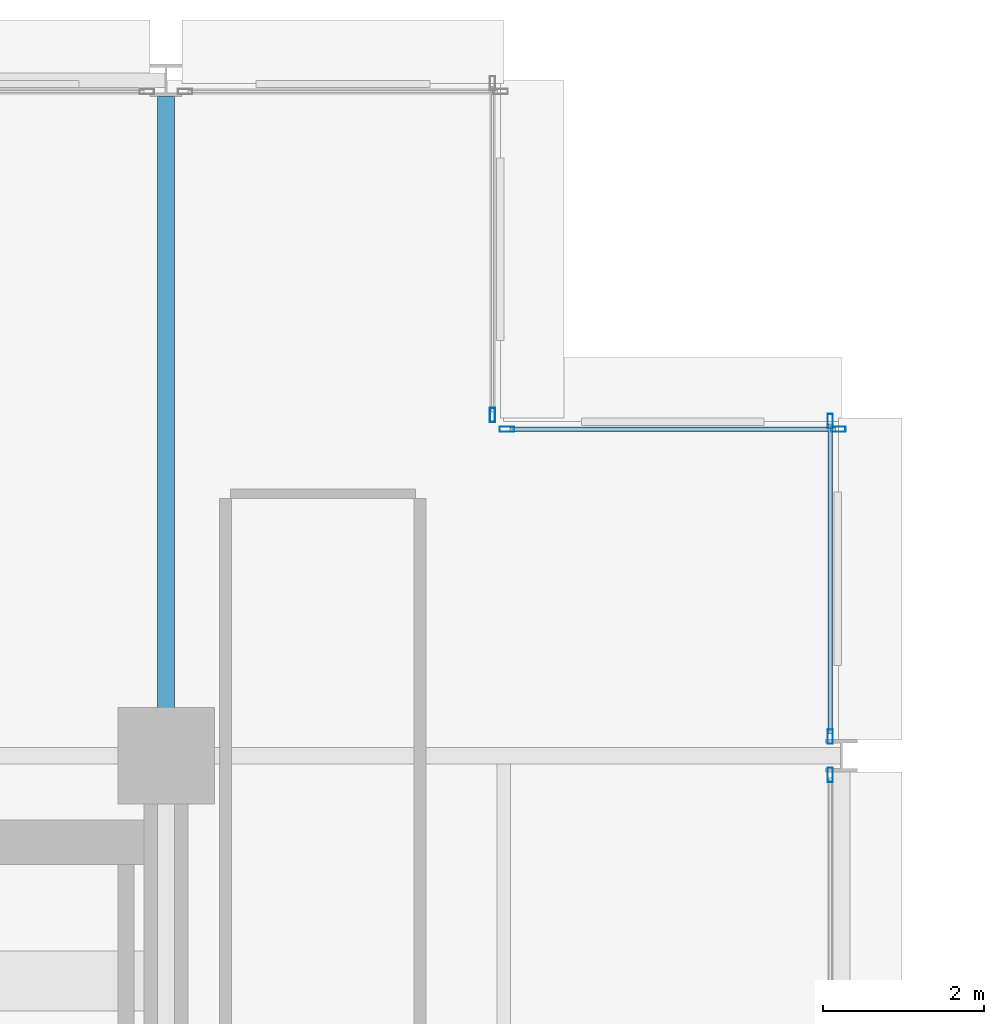
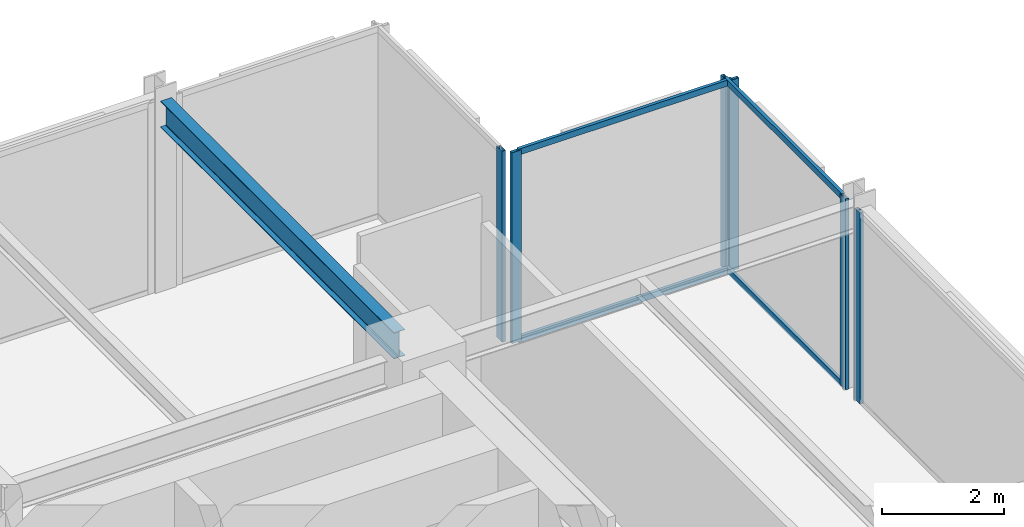
# One storey, part 28 of 39: 10 members, 1 beam, 4 elements without a shape of their own.
"""IFC4 building model written with IfcOpenShell, lengths in metres."""

import ifcopenshell
import ifcopenshell.guid

model = None  # the IFC model being written
_history = None  # IfcOwnerHistory: only IFC2X3 demands one
_inside = {}  # id of a spatial element -> (the spatial element, [elements in it])
_under = {}  # id of a project, library or spatial element -> (it, [spatial elements below it])
_declared = {}  # id of a project -> (the project, [libraries it declares])
_typed = {}  # id of a type object -> (the type object, [elements of that type])
_made_of = {}  # id of a material, layer set ... -> (it, [elements and type objects made of it])


def new_model(schema):
    """Start an empty IFC model of exactly this schema.

    Asked for "IFC4X3", IfcOpenShell would pick the latest addendum, in which some entities
    have other attributes; the version numbers below select the first issue.
    IFC2X3 requires an IfcOwnerHistory on every rooted entity: one is made here for all.
    """
    global model, _history
    if schema == "IFC4X3":
        model = ifcopenshell.file(schema_version=(4, 3, 0, 0))
    else:
        model = ifcopenshell.file(schema=schema)
    _inside.clear()
    _under.clear()
    _declared.clear()
    _typed.clear()
    _made_of.clear()
    _history = None
    if model.schema == "IFC2X3":
        org = make("IfcOrganization", Name="unknown")
        user = make(
            "IfcPersonAndOrganization",
            ThePerson=make("IfcPerson", FamilyName="unknown"),
            TheOrganization=org,
        )
        app = make(
            "IfcApplication",
            ApplicationDeveloper=org,
            Version="unknown",
            ApplicationFullName="unknown",
            ApplicationIdentifier="unknown",
        )
        _history = make(
            "IfcOwnerHistory",
            OwningUser=user,
            OwningApplication=app,
            ChangeAction="ADDED",
            CreationDate=0,
        )
    return model


def make(cls, **values):
    """One entity of the class cls with the attributes given. An attribute that is None is left unset."""
    return model.create_entity(
        cls, **{name: value for name, value in values.items() if value is not None}
    )


def rooted(cls, **values):
    """An entity with a GlobalId (a new one), such as an element, a storey or a relation."""
    return make(cls, GlobalId=ifcopenshell.guid.new(), OwnerHistory=_history, **values)


def si_unit(unit_type, name, prefix=None):
    """IfcSIUnit, for example si_unit("LENGTHUNIT", "METRE", prefix="MILLI")."""
    return make("IfcSIUnit", UnitType=unit_type, Prefix=prefix, Name=name)


def assignment(units):
    """IfcUnitAssignment: the units of a project."""
    return None if units is None else make("IfcUnitAssignment", Units=units)


def point(xyz):
    """IfcCartesianPoint."""
    return None if xyz is None else make("IfcCartesianPoint", Coordinates=xyz)


def direction(xyz):
    """IfcDirection."""
    return None if xyz is None else make("IfcDirection", DirectionRatios=xyz)


def frame(location, z_axis=None, x_axis=None):
    """IfcAxis2Placement3D, a coordinate frame: its origin and axes. An axis left out is left unset."""
    return make(
        "IfcAxis2Placement3D",
        Location=point(location),
        Axis=direction(z_axis),
        RefDirection=direction(x_axis),
    )


def frame_2d(location, x_axis=None):
    """IfcAxis2Placement2D, a coordinate frame in the plane: its origin and x axis."""
    return make(
        "IfcAxis2Placement2D", Location=point(location), RefDirection=direction(x_axis)
    )


def origin():
    """The frame at (0, 0, 0) with its axes left unset."""
    return frame((0.0, 0.0, 0.0))


def origin_2d():
    """The frame at (0, 0) in the plane with its x axis left unset."""
    return frame_2d((0.0, 0.0))


def place(relative_to, where):
    """IfcLocalPlacement: puts the frame where relative to a parent placement (None: the world)."""
    return make(
        "IfcLocalPlacement", PlacementRelTo=relative_to, RelativePlacement=where
    )


def context(
    kind, dimensions, precision=None, world=None, true_north=None, identifier=None
):
    """IfcGeometricRepresentationContext, for example the 3D "Model" context."""
    return make(
        "IfcGeometricRepresentationContext",
        ContextIdentifier=identifier,
        ContextType=kind,
        CoordinateSpaceDimension=dimensions,
        Precision=precision,
        WorldCoordinateSystem=world,
        TrueNorth=true_north,
    )


def subcontext(parent, identifier, kind, view, scale=None):
    """IfcGeometricRepresentationSubContext, for example "Body" below "Model"."""
    return make(
        "IfcGeometricRepresentationSubContext",
        ContextIdentifier=identifier,
        ContextType=kind,
        ParentContext=parent,
        TargetScale=scale,
        TargetView=view,
    )


def project(units=None, contexts=None):
    """IfcProject with its units and contexts."""
    return rooted(
        "IfcProject",
        Name="project",
        RepresentationContexts=contexts,
        UnitsInContext=assignment(units),
    )


def spatial(cls, under=None, at=None, **own):
    """A site, building, storey or space (cls), placed at a placement, below another one or the project."""
    s = rooted(cls, ObjectPlacement=at, **own)
    if under is not None:
        _under.setdefault(under.id(), (under, []))[1].append(s)
    return s


def profile(cls, at=None, kind="AREA", **sizes):
    """A parametric profile (cls). Its sizes go by their IFC names, for example OverallWidth=200.0."""
    return make(cls, ProfileType=kind, Position=at, **sizes)


def hollow_rectangle(**sizes):
    """IfcRectangleHollowProfileDef."""
    return profile("IfcRectangleHollowProfileDef", **sizes)


def i_section(**sizes):
    """IfcIShapeProfileDef."""
    return profile("IfcIShapeProfileDef", **sizes)


def extrude(swept, where, along, depth):
    """IfcExtrudedAreaSolid: the profile swept, set in the frame where, extruded along a direction by depth."""
    return make(
        "IfcExtrudedAreaSolid",
        SweptArea=swept,
        Position=where,
        ExtrudedDirection=direction(along),
        Depth=depth,
    )


def shape(context_of_items, identifier, shape_type, items):
    """IfcShapeRepresentation: the items that make up one representation, for example the "Body"."""
    return make(
        "IfcShapeRepresentation",
        ContextOfItems=context_of_items,
        RepresentationIdentifier=identifier,
        RepresentationType=shape_type,
        Items=items,
    )


def material(Name=None, Category=None):
    """IfcMaterial."""
    return make("IfcMaterial", Name=Name, Category=Category)


def layer(
    of_material, thickness, ventilated=None, Name=None, Category=None, Priority=None
):
    """IfcMaterialLayer: one layer of a wall or slab, of a material (None: an air gap)."""
    return make(
        "IfcMaterialLayer",
        Material=of_material,
        LayerThickness=thickness,
        IsVentilated=ventilated,
        Name=Name,
        Category=Category,
        Priority=Priority,
    )


def layer_set(layers, Name=None):
    """IfcMaterialLayerSet."""
    return make("IfcMaterialLayerSet", MaterialLayers=layers, LayerSetName=Name)


def material_profile(
    of_material, cross_section, Name=None, Category=None, Priority=None
):
    """IfcMaterialProfile: a cross section and its material."""
    return make(
        "IfcMaterialProfile",
        Name=Name,
        Material=of_material,
        Profile=cross_section,
        Priority=Priority,
        Category=Category,
    )


def profile_set(profiles, Name=None, composite=None):
    """IfcMaterialProfileSet."""
    return make(
        "IfcMaterialProfileSet",
        Name=Name,
        MaterialProfiles=profiles,
        CompositeProfile=composite,
    )


def made_of(thing, what):
    """Note that an element or type object is made of a material, layer set ...; save() writes the relation."""
    if what is not None:
        _made_of.setdefault(what.id(), (what, []))[1].append(thing)
    return thing


def type_object(cls, material=None, **own):
    """A type object (cls), such as IfcWallType, which elements share."""
    return made_of(rooted(cls, **own), material)


def element(
    cls,
    number,
    at=None,
    inside=None,
    cuts=None,
    type_object=None,
    material=None,
    context=None,
    identifier="Body",
    shape_type=None,
    held_by="IfcProductDefinitionShape",
    body=None,
    shapes=None,
    **own,
):
    """One element of the class cls, such as IfcWall. Its Tag is "e" and its number.

    at: its placement. inside: the storey or other place that contains it. cuts: it is an
    opening in that element (IfcRelVoidsElement). A single representation is given by context,
    identifier, shape_type and body (its items); several are given by shapes. held_by: the class
    of the entity that holds the representations. save() writes the other relations.
    """
    e = rooted(cls, Tag="e%d" % number, ObjectPlacement=at, **own)
    if body is not None:
        shapes = [shape(context, identifier, shape_type, body)]
    if shapes is not None:
        e.Representation = make(held_by, Representations=shapes)
    if inside is not None:
        _inside.setdefault(inside.id(), (inside, []))[1].append(e)
    if cuts is not None:
        rooted(
            "IfcRelVoidsElement", RelatingBuildingElement=cuts, RelatedOpeningElement=e
        )
    if type_object is not None:
        _typed.setdefault(type_object.id(), (type_object, []))[1].append(e)
    return made_of(e, material)


def aggregate(whole, parts):
    """IfcRelAggregates: a whole, such as a stair, and the parts it consists of."""
    return rooted("IfcRelAggregates", RelatingObject=whole, RelatedObjects=parts)


def save(model, path):
    """Write the relations noted so far, then the file.

    IfcRelAggregates (storeys below a building ...), IfcRelContainedInSpatialStructure (elements
    in a storey), IfcRelDefinesByType, IfcRelAssociatesMaterial and IfcRelDeclares: one each for
    every whole, place, type object, material and project.
    """
    for whole, parts in _under.values():
        aggregate(whole, parts)
    for where, things in _inside.values():
        rooted(
            "IfcRelContainedInSpatialStructure",
            RelatedElements=things,
            RelatingStructure=where,
        )
    for kind, things in _typed.values():
        rooted("IfcRelDefinesByType", RelatedObjects=things, RelatingType=kind)
    for what, things in _made_of.values():
        rooted("IfcRelAssociatesMaterial", RelatedObjects=things, RelatingMaterial=what)
    for by, libraries in _declared.values():
        rooted("IfcRelDeclares", RelatingContext=by, RelatedDefinitions=libraries)
    model.write(path)


model = new_model("IFC4")

# Units and contexts
model_context = context("Model", 3, precision=1e-05, world=origin(), true_north=direction((0.0, 1.0)))
body_context = subcontext(model_context, "Body", "Model", "MODEL_VIEW")
ifc_project = project(units=[si_unit("LENGTHUNIT", "METRE"), si_unit("AREAUNIT", "SQUARE_METRE"), si_unit("VOLUMEUNIT", "CUBIC_METRE"), si_unit("PLANEANGLEUNIT", "RADIAN"), si_unit("MASSUNIT", "GRAM", prefix="KILO")], contexts=[model_context])

# Site, building, storey
site_placement = place(None, origin())
site = spatial("IfcSite", under=ifc_project, at=site_placement, CompositionType="ELEMENT")
building_placement = place(site_placement, origin())
building = spatial("IfcBuilding", under=site, at=building_placement, Name="Nerrivon Quay Data Exchange", CompositionType="ELEMENT")
storey_placement = place(building_placement, frame((0.0, 0.0, 92.60009765625)))
storey = spatial("IfcBuildingStorey", under=building, at=storey_placement, Name="L21", CompositionType="ELEMENT", Elevation=92.60009765625)

# Beam
ifc_material_1 = material(Name="Steel Grade 350", Category="steel")
ifc_material_profile_1 = material_profile(ifc_material_1, i_section(OverallWidth=0.208984375, OverallDepth=0.528076171875, WebThickness=0.009521484375, FlangeThickness=0.01318359375, FilletRadius=0.013916015625, at=origin_2d()), Name="530UB82.0")
ifc_profile_set_1 = profile_set([ifc_material_profile_1], Name="Steel Grade 350")
beam_type = type_object("IfcBeamType", Name="BM-G4-530UB82", PredefinedType="BEAM", material=ifc_profile_set_1)
beam_placement = place(storey_placement, frame((16.800048828125, 42.5400390625, 3.560791015625), z_axis=(0.0, 1.0, 0.0), x_axis=(-1.0, 0.0, 0.0)))
element("IfcBeam", 1, at=beam_placement, inside=storey, type_object=beam_type, Name="L21 NS Girder X=16.8 (42.0..50.4)", PredefinedType="BEAM", context=body_context, shape_type="SweptSolid", body=[
    extrude(i_section(OverallWidth=0.208984375, OverallDepth=0.528076171875, WebThickness=0.009521484375, FlangeThickness=0.01318359375, FilletRadius=0.013916015625, at=origin_2d()), origin(), (0.0, 0.0, 1.0), 7.659912109375),
])

# Curtain wall, member
ifc_material_2 = material(Name="Anodised aluminium 6063-T6", Category="aluminium")
ifc_layer = layer(ifc_material_2, 0.2099609375)
ifc_layer_set = layer_set([ifc_layer], Name="Anodised aluminium 6063-T6")
curtain_wall_type = type_object("IfcCurtainWallType", Name="CW-SYS-02", PredefinedType="NOTDEFINED", material=ifc_layer_set)
curtain_wall_1_placement = place(storey_placement, origin())
curtain_wall_1 = element("IfcCurtainWall", 2, at=curtain_wall_1_placement, inside=storey, type_object=curtain_wall_type, Name="L21 Unitised Curtain Wall 27", PredefinedType="NOTDEFINED")
ifc_material_profile_2 = material_profile(ifc_material_2, hollow_rectangle(XDim=0.06494140625, YDim=0.179931640625, WallThickness=0.00341796875, at=origin_2d()), Name="ALU-MULL-180x65")
ifc_profile_set_2 = profile_set([ifc_material_profile_2], Name="Anodised aluminium 6063-T6")
member_type_1 = type_object("IfcMemberType", Name="CWM-180x65", PredefinedType="MULLION", material=ifc_profile_set_2)
member_1_placement = place(storey_placement, frame((20.860107421875, 46.237548828125, 0.0), z_axis=(0.0, 0.0, 1.0), x_axis=(1.0, 0.0, 0.0)))
member_1 = element("IfcMember", 3, at=member_1_placement, type_object=member_type_1, Name="CW02 mullion 2", PredefinedType="MULLION", context=body_context, shape_type="SweptSolid", body=[
    extrude(hollow_rectangle(XDim=0.06494140625, YDim=0.179931640625, WallThickness=0.00341796875, at=origin_2d()), origin(), (0.0, 0.0, 1.0), 3.824951171875),
])
aggregate(curtain_wall_1, [member_1])

# Curtain wall, members
curtain_wall_2_placement = place(storey_placement, origin())
curtain_wall_2 = element("IfcCurtainWall", 4, at=curtain_wall_2_placement, inside=storey, type_object=curtain_wall_type, Name="L21 Unitised Curtain Wall 28", PredefinedType="NOTDEFINED")
member_2_placement = place(storey_placement, frame((21.03759765625, 46.06005859375, 0.0), z_axis=(0.0, 0.0, 1.0), x_axis=(0.0, 1.0, 0.0)))
member_2 = element("IfcMember", 5, at=member_2_placement, type_object=member_type_1, Name="CW02 mullion 1", PredefinedType="MULLION", context=body_context, shape_type="SweptSolid", body=[
    extrude(hollow_rectangle(XDim=0.06494140625, YDim=0.179931640625, WallThickness=0.00341796875, at=origin_2d()), origin(), (0.0, 0.0, 1.0), 3.824951171875),
])
member_3_placement = place(storey_placement, frame((25.16259765625, 46.06005859375, 0.0), z_axis=(0.0, 0.0, 1.0), x_axis=(0.0, 1.0, 0.0)))
member_3 = element("IfcMember", 6, at=member_3_placement, type_object=member_type_1, Name="CW02 mullion 2", PredefinedType="MULLION", context=body_context, shape_type="SweptSolid", body=[
    extrude(hollow_rectangle(XDim=0.06494140625, YDim=0.179931640625, WallThickness=0.00341796875, at=origin_2d()), origin(), (0.0, 0.0, 1.0), 3.824951171875),
])

curtain_wall_3_placement = place(storey_placement, origin())
curtain_wall_3 = element("IfcCurtainWall", 7, at=curtain_wall_3_placement, inside=storey, type_object=curtain_wall_type, Name="L21 Unitised Curtain Wall 29", PredefinedType="NOTDEFINED")
member_4_placement = place(storey_placement, frame((25.06005859375, 46.16259765625, 0.0), z_axis=(0.0, 0.0, 1.0), x_axis=(1.0, 0.0, 0.0)))
member_4 = element("IfcMember", 8, at=member_4_placement, type_object=member_type_1, Name="CW02 mullion 1", PredefinedType="MULLION", context=body_context, shape_type="SweptSolid", body=[
    extrude(hollow_rectangle(XDim=0.06494140625, YDim=0.179931640625, WallThickness=0.00341796875, at=origin_2d()), origin(), (0.0, 0.0, 1.0), 3.824951171875),
])
member_5_placement = place(storey_placement, frame((25.06005859375, 42.237548828125, 0.0), z_axis=(0.0, 0.0, 1.0), x_axis=(1.0, 0.0, 0.0)))
member_5 = element("IfcMember", 9, at=member_5_placement, type_object=member_type_1, Name="CW02 mullion 2", PredefinedType="MULLION", context=body_context, shape_type="SweptSolid", body=[
    extrude(hollow_rectangle(XDim=0.06494140625, YDim=0.179931640625, WallThickness=0.00341796875, at=origin_2d()), origin(), (0.0, 0.0, 1.0), 3.824951171875),
])

# Curtain wall, member
curtain_wall_4_placement = place(storey_placement, origin())
curtain_wall_4 = element("IfcCurtainWall", 10, at=curtain_wall_4_placement, inside=storey, type_object=curtain_wall_type, Name="L21 Unitised Curtain Wall 30", PredefinedType="NOTDEFINED")
member_6_placement = place(storey_placement, frame((25.06005859375, 41.762451171875, 0.0), z_axis=(0.0, 0.0, 1.0), x_axis=(1.0, 0.0, 0.0)))
member_6 = element("IfcMember", 11, at=member_6_placement, type_object=member_type_1, Name="CW02 mullion 1", PredefinedType="MULLION", context=body_context, shape_type="SweptSolid", body=[
    extrude(hollow_rectangle(XDim=0.06494140625, YDim=0.179931640625, WallThickness=0.00341796875, at=origin_2d()), origin(), (0.0, 0.0, 1.0), 3.824951171875),
])
aggregate(curtain_wall_4, [member_6])

# Member
ifc_material_profile_3 = material_profile(ifc_material_2, hollow_rectangle(XDim=0.06005859375, YDim=0.1201171875, WallThickness=0.003173828125, at=origin_2d()), Name="ALU-TRAN-120x60")
ifc_profile_set_3 = profile_set([ifc_material_profile_3], Name="Anodised aluminium 6063-T6")
member_type_2 = type_object("IfcMemberType", Name="CWT-120x60", PredefinedType="USERDEFINED", material=ifc_profile_set_3)
member_7_placement = place(storey_placement, frame((21.074951171875, 46.06005859375, 0.032470703125), z_axis=(1.0, 0.0, 0.0), x_axis=(0.0, 1.0, 0.0)))
member_7 = element("IfcMember", 12, at=member_7_placement, type_object=member_type_2, Name="CW02 transom 1.1", ObjectType="TRANSOM", PredefinedType="USERDEFINED", context=body_context, shape_type="SweptSolid", body=[
    extrude(hollow_rectangle(XDim=0.06005859375, YDim=0.1201171875, WallThickness=0.003173828125, at=origin_2d()), origin(), (0.0, 0.0, 1.0), 4.050048828125),
])

member_8_placement = place(storey_placement, frame((21.074951171875, 46.06005859375, 3.79248046875), z_axis=(1.0, 0.0, 0.0), x_axis=(0.0, 1.0, 0.0)))
member_8 = element("IfcMember", 13, at=member_8_placement, type_object=member_type_2, Name="CW02 transom 1.2", ObjectType="TRANSOM", PredefinedType="USERDEFINED", context=body_context, shape_type="SweptSolid", body=[
    extrude(hollow_rectangle(XDim=0.06005859375, YDim=0.1201171875, WallThickness=0.003173828125, at=origin_2d()), origin(), (0.0, 0.0, 1.0), 4.050048828125),
])

aggregate(curtain_wall_2, [member_2, member_3, member_7, member_8])

member_9_placement = place(storey_placement, frame((25.06005859375, 46.125, 0.032470703125), z_axis=(0.0, -1.0, 0.0), x_axis=(1.0, 0.0, 0.0)))
member_9 = element("IfcMember", 14, at=member_9_placement, type_object=member_type_2, Name="CW02 transom 1.1", ObjectType="TRANSOM", PredefinedType="USERDEFINED", context=body_context, shape_type="SweptSolid", body=[
    extrude(hollow_rectangle(XDim=0.06005859375, YDim=0.1201171875, WallThickness=0.003173828125, at=origin_2d()), origin(), (0.0, 0.0, 1.0), 3.85009765625),
])

member_10_placement = place(storey_placement, frame((25.06005859375, 46.125, 3.79248046875), z_axis=(0.0, -1.0, 0.0), x_axis=(1.0, 0.0, 0.0)))
member_10 = element("IfcMember", 15, at=member_10_placement, type_object=member_type_2, Name="CW02 transom 1.2", ObjectType="TRANSOM", PredefinedType="USERDEFINED", context=body_context, shape_type="SweptSolid", body=[
    extrude(hollow_rectangle(XDim=0.06005859375, YDim=0.1201171875, WallThickness=0.003173828125, at=origin_2d()), origin(), (0.0, 0.0, 1.0), 3.85009765625),
])

aggregate(curtain_wall_3, [member_4, member_5, member_9, member_10])

save(model, "model.ifc")
